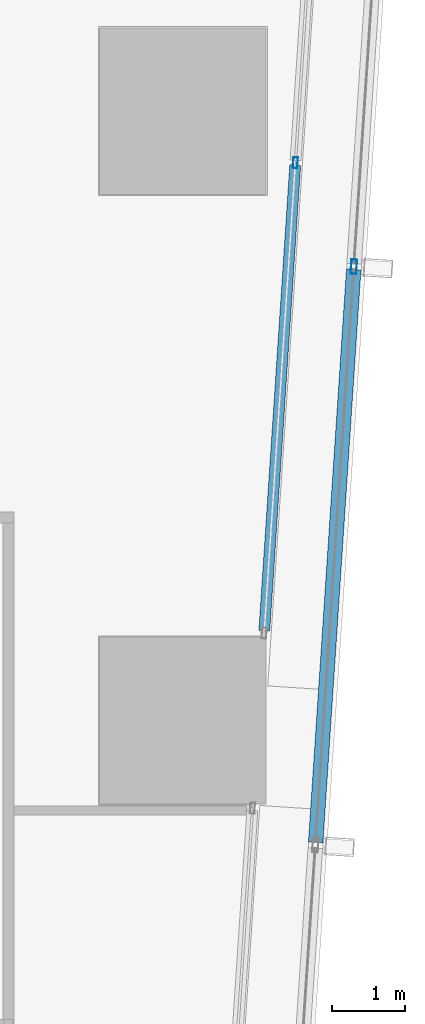
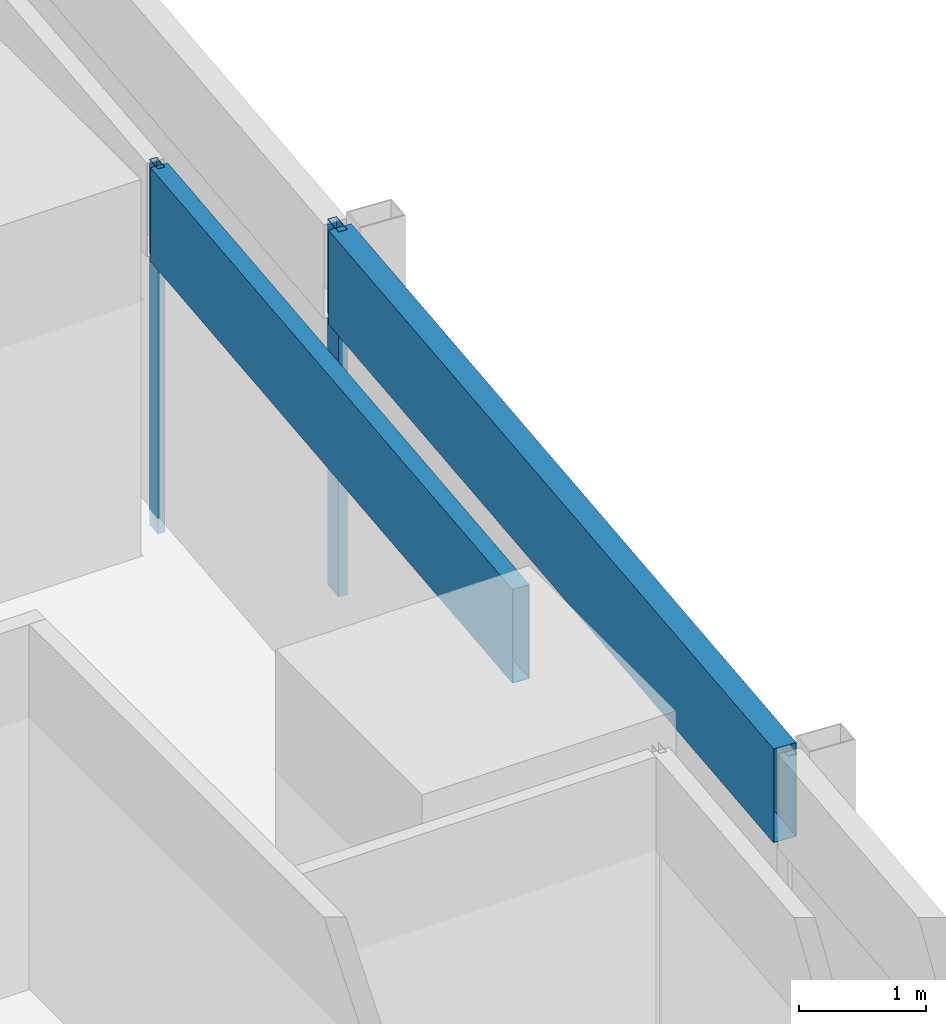
# One storey, part 11 of 32: 4 members, 2 elements without a shape of their own.
"""IFC4 building model written with IfcOpenShell, lengths in metres."""

import ifcopenshell
import ifcopenshell.guid

model = None  # the IFC model being written
_history = None  # IfcOwnerHistory: only IFC2X3 demands one
_inside = {}  # id of a spatial element -> (the spatial element, [elements in it])
_under = {}  # id of a project, library or spatial element -> (it, [spatial elements below it])
_declared = {}  # id of a project -> (the project, [libraries it declares])
_typed = {}  # id of a type object -> (the type object, [elements of that type])
_made_of = {}  # id of a material, layer set ... -> (it, [elements and type objects made of it])


def new_model(schema):
    """Start an empty IFC model of exactly this schema.

    Asked for "IFC4X3", IfcOpenShell would pick the latest addendum, in which some entities
    have other attributes; the version numbers below select the first issue.
    IFC2X3 requires an IfcOwnerHistory on every rooted entity: one is made here for all.
    """
    global model, _history
    if schema == "IFC4X3":
        model = ifcopenshell.file(schema_version=(4, 3, 0, 0))
    else:
        model = ifcopenshell.file(schema=schema)
    _inside.clear()
    _under.clear()
    _declared.clear()
    _typed.clear()
    _made_of.clear()
    _history = None
    if model.schema == "IFC2X3":
        org = make("IfcOrganization", Name="unknown")
        user = make(
            "IfcPersonAndOrganization",
            ThePerson=make("IfcPerson", FamilyName="unknown"),
            TheOrganization=org,
        )
        app = make(
            "IfcApplication",
            ApplicationDeveloper=org,
            Version="unknown",
            ApplicationFullName="unknown",
            ApplicationIdentifier="unknown",
        )
        _history = make(
            "IfcOwnerHistory",
            OwningUser=user,
            OwningApplication=app,
            ChangeAction="ADDED",
            CreationDate=0,
        )
    return model


def make(cls, **values):
    """One entity of the class cls with the attributes given. An attribute that is None is left unset."""
    return model.create_entity(
        cls, **{name: value for name, value in values.items() if value is not None}
    )


def rooted(cls, **values):
    """An entity with a GlobalId (a new one), such as an element, a storey or a relation."""
    return make(cls, GlobalId=ifcopenshell.guid.new(), OwnerHistory=_history, **values)


def si_unit(unit_type, name, prefix=None):
    """IfcSIUnit, for example si_unit("LENGTHUNIT", "METRE", prefix="MILLI")."""
    return make("IfcSIUnit", UnitType=unit_type, Prefix=prefix, Name=name)


def assignment(units):
    """IfcUnitAssignment: the units of a project."""
    return None if units is None else make("IfcUnitAssignment", Units=units)


def point(xyz):
    """IfcCartesianPoint."""
    return None if xyz is None else make("IfcCartesianPoint", Coordinates=xyz)


def direction(xyz):
    """IfcDirection."""
    return None if xyz is None else make("IfcDirection", DirectionRatios=xyz)


def frame(location, z_axis=None, x_axis=None):
    """IfcAxis2Placement3D, a coordinate frame: its origin and axes. An axis left out is left unset."""
    return make(
        "IfcAxis2Placement3D",
        Location=point(location),
        Axis=direction(z_axis),
        RefDirection=direction(x_axis),
    )


def frame_2d(location, x_axis=None):
    """IfcAxis2Placement2D, a coordinate frame in the plane: its origin and x axis."""
    return make(
        "IfcAxis2Placement2D", Location=point(location), RefDirection=direction(x_axis)
    )


def origin():
    """The frame at (0, 0, 0) with its axes left unset."""
    return frame((0.0, 0.0, 0.0))


def origin_2d():
    """The frame at (0, 0) in the plane with its x axis left unset."""
    return frame_2d((0.0, 0.0))


def place(relative_to, where):
    """IfcLocalPlacement: puts the frame where relative to a parent placement (None: the world)."""
    return make(
        "IfcLocalPlacement", PlacementRelTo=relative_to, RelativePlacement=where
    )


def context(
    kind, dimensions, precision=None, world=None, true_north=None, identifier=None
):
    """IfcGeometricRepresentationContext, for example the 3D "Model" context."""
    return make(
        "IfcGeometricRepresentationContext",
        ContextIdentifier=identifier,
        ContextType=kind,
        CoordinateSpaceDimension=dimensions,
        Precision=precision,
        WorldCoordinateSystem=world,
        TrueNorth=true_north,
    )


def subcontext(parent, identifier, kind, view, scale=None):
    """IfcGeometricRepresentationSubContext, for example "Body" below "Model"."""
    return make(
        "IfcGeometricRepresentationSubContext",
        ContextIdentifier=identifier,
        ContextType=kind,
        ParentContext=parent,
        TargetScale=scale,
        TargetView=view,
    )


def project(units=None, contexts=None):
    """IfcProject with its units and contexts."""
    return rooted(
        "IfcProject",
        Name="project",
        RepresentationContexts=contexts,
        UnitsInContext=assignment(units),
    )


def spatial(cls, under=None, at=None, **own):
    """A site, building, storey or space (cls), placed at a placement, below another one or the project."""
    s = rooted(cls, ObjectPlacement=at, **own)
    if under is not None:
        _under.setdefault(under.id(), (under, []))[1].append(s)
    return s


def profile(cls, at=None, kind="AREA", **sizes):
    """A parametric profile (cls). Its sizes go by their IFC names, for example OverallWidth=200.0."""
    return make(cls, ProfileType=kind, Position=at, **sizes)


def hollow_rectangle(**sizes):
    """IfcRectangleHollowProfileDef."""
    return profile("IfcRectangleHollowProfileDef", **sizes)


def extrude(swept, where, along, depth):
    """IfcExtrudedAreaSolid: the profile swept, set in the frame where, extruded along a direction by depth."""
    return make(
        "IfcExtrudedAreaSolid",
        SweptArea=swept,
        Position=where,
        ExtrudedDirection=direction(along),
        Depth=depth,
    )


def shape(context_of_items, identifier, shape_type, items):
    """IfcShapeRepresentation: the items that make up one representation, for example the "Body"."""
    return make(
        "IfcShapeRepresentation",
        ContextOfItems=context_of_items,
        RepresentationIdentifier=identifier,
        RepresentationType=shape_type,
        Items=items,
    )


def material(Name=None, Category=None):
    """IfcMaterial."""
    return make("IfcMaterial", Name=Name, Category=Category)


def material_profile(
    of_material, cross_section, Name=None, Category=None, Priority=None
):
    """IfcMaterialProfile: a cross section and its material."""
    return make(
        "IfcMaterialProfile",
        Name=Name,
        Material=of_material,
        Profile=cross_section,
        Priority=Priority,
        Category=Category,
    )


def profile_set(profiles, Name=None, composite=None):
    """IfcMaterialProfileSet."""
    return make(
        "IfcMaterialProfileSet",
        Name=Name,
        MaterialProfiles=profiles,
        CompositeProfile=composite,
    )


def made_of(thing, what):
    """Note that an element or type object is made of a material, layer set ...; save() writes the relation."""
    if what is not None:
        _made_of.setdefault(what.id(), (what, []))[1].append(thing)
    return thing


def type_object(cls, material=None, **own):
    """A type object (cls), such as IfcWallType, which elements share."""
    return made_of(rooted(cls, **own), material)


def element(
    cls,
    number,
    at=None,
    inside=None,
    cuts=None,
    type_object=None,
    material=None,
    context=None,
    identifier="Body",
    shape_type=None,
    held_by="IfcProductDefinitionShape",
    body=None,
    shapes=None,
    **own,
):
    """One element of the class cls, such as IfcWall. Its Tag is "e" and its number.

    at: its placement. inside: the storey or other place that contains it. cuts: it is an
    opening in that element (IfcRelVoidsElement). A single representation is given by context,
    identifier, shape_type and body (its items); several are given by shapes. held_by: the class
    of the entity that holds the representations. save() writes the other relations.
    """
    e = rooted(cls, Tag="e%d" % number, ObjectPlacement=at, **own)
    if body is not None:
        shapes = [shape(context, identifier, shape_type, body)]
    if shapes is not None:
        e.Representation = make(held_by, Representations=shapes)
    if inside is not None:
        _inside.setdefault(inside.id(), (inside, []))[1].append(e)
    if cuts is not None:
        rooted(
            "IfcRelVoidsElement", RelatingBuildingElement=cuts, RelatedOpeningElement=e
        )
    if type_object is not None:
        _typed.setdefault(type_object.id(), (type_object, []))[1].append(e)
    return made_of(e, material)


def aggregate(whole, parts):
    """IfcRelAggregates: a whole, such as a stair, and the parts it consists of."""
    return rooted("IfcRelAggregates", RelatingObject=whole, RelatedObjects=parts)


def save(model, path):
    """Write the relations noted so far, then the file.

    IfcRelAggregates (storeys below a building ...), IfcRelContainedInSpatialStructure (elements
    in a storey), IfcRelDefinesByType, IfcRelAssociatesMaterial and IfcRelDeclares: one each for
    every whole, place, type object, material and project.
    """
    for whole, parts in _under.values():
        aggregate(whole, parts)
    for where, things in _inside.values():
        rooted(
            "IfcRelContainedInSpatialStructure",
            RelatedElements=things,
            RelatingStructure=where,
        )
    for kind, things in _typed.values():
        rooted("IfcRelDefinesByType", RelatedObjects=things, RelatingType=kind)
    for what, things in _made_of.values():
        rooted("IfcRelAssociatesMaterial", RelatedObjects=things, RelatingMaterial=what)
    for by, libraries in _declared.values():
        rooted("IfcRelDeclares", RelatingContext=by, RelatedDefinitions=libraries)
    model.write(path)


model = new_model("IFC4")

# Units and contexts
model_context = context("Model", 3, precision=1e-05, world=origin(), true_north=direction((0.0, 1.0)))
body_context = subcontext(model_context, "Body", "Model", "MODEL_VIEW")
ifc_project = project(units=[si_unit("LENGTHUNIT", "METRE"), si_unit("AREAUNIT", "SQUARE_METRE"), si_unit("VOLUMEUNIT", "CUBIC_METRE"), si_unit("PLANEANGLEUNIT", "RADIAN"), si_unit("MASSUNIT", "GRAM", prefix="KILO")], contexts=[model_context])

# Site, building, storey
site_placement = place(None, origin())
site = spatial("IfcSite", under=ifc_project, at=site_placement, CompositionType="ELEMENT")
building_placement = place(site_placement, origin())
building = spatial("IfcBuilding", under=site, at=building_placement, Name="Rekha Terrace Tower", CompositionType="ELEMENT")
storey_placement = place(building_placement, frame((0.0, 0.0, 250.10009765625)))
storey = spatial("IfcBuildingStorey", under=building, at=storey_placement, Name="L63", CompositionType="ELEMENT", Elevation=250.10009765625)

# Curtain wall, members
ifc_material_1 = material(Name="Aluminium framing", Category="aluminium")
curtain_wall_type_1 = type_object("IfcCurtainWallType", Name="CW1 double skin inner glazing", PredefinedType="USERDEFINED", material=ifc_material_1)
curtain_wall_1_placement = place(storey_placement, origin())
curtain_wall_1 = element("IfcCurtainWall", 1, at=curtain_wall_1_placement, inside=storey, type_object=curtain_wall_type_1, Name="CW1 double skin inner glazing", ObjectType="DOUBLE SKIN INNER GLAZING", PredefinedType="USERDEFINED")
ifc_material_2 = material(Name="Aluminium mullion section", Category="aluminium")
ifc_material_profile_1 = material_profile(ifc_material_2, hollow_rectangle(XDim=0.06494140625, YDim=0.14990234375, WallThickness=0.00390625, at=origin_2d()), Name="AL RHS 65x150")
ifc_profile_set_1 = profile_set([ifc_material_profile_1], Name="Aluminium mullion section")
member_type_1 = type_object("IfcMemberType", Name="CW1 mullion RHS 65 x 150", PredefinedType="MULLION", material=ifc_profile_set_1)
member_1_placement = place(storey_placement, frame((60.3525390625, 32.8896484375, 0.0), z_axis=(0.0, 0.0, 1.0), x_axis=(-0.997801621773, 0.066271589597, 0.0)))
member_1 = element("IfcMember", 2, at=member_1_placement, type_object=member_type_1, Name="CW1 mullion 2", PredefinedType="MULLION", context=body_context, shape_type="SweptSolid", body=[
    extrude(hollow_rectangle(XDim=0.06494140625, YDim=0.14990234375, WallThickness=0.00390625, at=origin_2d()), origin(), (0.0, 0.0, 1.0), 3.5),
])
ifc_material_3 = material(Name="Insulated aluminium spandrel box", Category="aluminium")
ifc_material_profile_2 = material_profile(ifc_material_3, hollow_rectangle(XDim=0.14990234375, YDim=0.89990234375, WallThickness=0.0029296875, at=origin_2d()), Name="AL SPANDREL BOX 150x900")
ifc_profile_set_2 = profile_set([ifc_material_profile_2], Name="Insulated aluminium spandrel box")
member_type_2 = type_object("IfcMemberType", Name="CW1 spandrel transom 150 x 900", PredefinedType="USERDEFINED", material=ifc_profile_set_2)
member_2_placement = place(storey_placement, frame((59.924072265625, 26.43701171875, 3.0498046875), z_axis=(0.066249541317, 0.997803085922, 0.0), x_axis=(-0.997803085922, 0.066249541317, 0.0)))
member_2 = element("IfcMember", 3, at=member_2_placement, type_object=member_type_2, Name="CW1 spandrel transom 1", ObjectType="TRANSOM", PredefinedType="USERDEFINED", context=body_context, shape_type="SweptSolid", body=[
    extrude(hollow_rectangle(XDim=0.14990234375, YDim=0.89990234375, WallThickness=0.0029296875, at=origin_2d()), origin(), (0.0, 0.0, 1.0), 6.434326171875),
])
aggregate(curtain_wall_1, [member_1, member_2])

curtain_wall_type_2 = type_object("IfcCurtainWallType", Name="CW2 double skin outer glazing", PredefinedType="USERDEFINED", material=ifc_material_1)
curtain_wall_2_placement = place(storey_placement, origin())
curtain_wall_2 = element("IfcCurtainWall", 4, at=curtain_wall_2_placement, inside=storey, type_object=curtain_wall_type_2, Name="CW2 double skin outer glazing", ObjectType="DOUBLE SKIN OUTER GLAZING", PredefinedType="USERDEFINED")
ifc_material_profile_3 = material_profile(ifc_material_2, hollow_rectangle(XDim=0.080078125, YDim=0.199951171875, WallThickness=0.00390625, at=origin_2d()), Name="AL RHS 80x200")
ifc_profile_set_3 = profile_set([ifc_material_profile_3], Name="Aluminium mullion section")
member_type_3 = type_object("IfcMemberType", Name="CW2 mullion RHS 80 x 200", PredefinedType="MULLION", material=ifc_profile_set_3)
member_3_placement = place(storey_placement, frame((61.159423828125, 31.457275390625, 0.0), z_axis=(0.0, 0.0, 1.0), x_axis=(-0.997801621769, 0.066271589649, 0.0)))
member_3 = element("IfcMember", 5, at=member_3_placement, type_object=member_type_3, Name="CW2 mullion 3", PredefinedType="MULLION", context=body_context, shape_type="SweptSolid", body=[
    extrude(hollow_rectangle(XDim=0.080078125, YDim=0.199951171875, WallThickness=0.00390625, at=origin_2d()), origin(), (0.0, 0.0, 1.0), 3.5),
])
ifc_material_profile_4 = material_profile(ifc_material_3, hollow_rectangle(XDim=0.199951171875, YDim=0.89990234375, WallThickness=0.0029296875, at=origin_2d()), Name="AL SPANDREL BOX 200x900")
ifc_profile_set_4 = profile_set([ifc_material_profile_4], Name="Insulated aluminium spandrel box")
member_type_4 = type_object("IfcMemberType", Name="CW2 spandrel transom 200 x 900", PredefinedType="USERDEFINED", material=ifc_profile_set_4)
member_4_placement = place(storey_placement, frame((60.63232421875, 23.51953125, 3.0498046875), z_axis=(0.066252876442, 0.997802864479, 0.0), x_axis=(-0.997802864479, 0.066252876442, 0.0)))
member_4 = element("IfcMember", 6, at=member_4_placement, type_object=member_type_4, Name="CW2 spandrel transom 2", ObjectType="TRANSOM", PredefinedType="USERDEFINED", context=body_context, shape_type="SweptSolid", body=[
    extrude(hollow_rectangle(XDim=0.199951171875, YDim=0.89990234375, WallThickness=0.0029296875, at=origin_2d()), origin(), (0.0, 0.0, 1.0), 7.915283203125),
])
aggregate(curtain_wall_2, [member_3, member_4])

save(model, "model.ifc")
